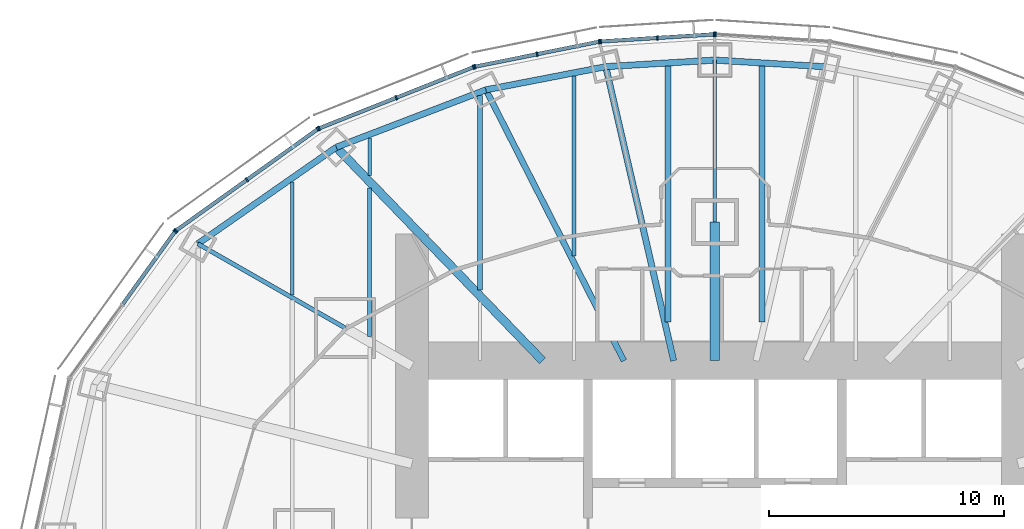
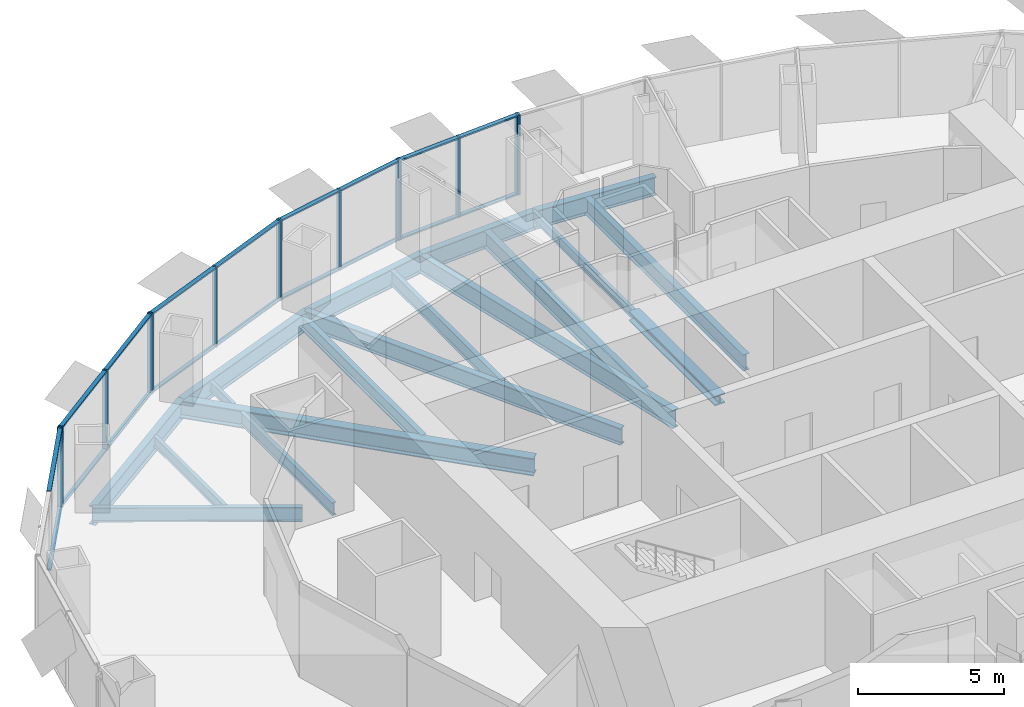
# One storey, part 7 of 18: 32 members, 18 beams, 6 elements without a shape of their own.
"""IFC4 building model written with IfcOpenShell, lengths in metres."""

import ifcopenshell
import ifcopenshell.guid

model = None  # the IFC model being written
_history = None  # IfcOwnerHistory: only IFC2X3 demands one
_inside = {}  # id of a spatial element -> (the spatial element, [elements in it])
_under = {}  # id of a project, library or spatial element -> (it, [spatial elements below it])
_declared = {}  # id of a project -> (the project, [libraries it declares])
_typed = {}  # id of a type object -> (the type object, [elements of that type])
_made_of = {}  # id of a material, layer set ... -> (it, [elements and type objects made of it])


def new_model(schema):
    """Start an empty IFC model of exactly this schema.

    Asked for "IFC4X3", IfcOpenShell would pick the latest addendum, in which some entities
    have other attributes; the version numbers below select the first issue.
    IFC2X3 requires an IfcOwnerHistory on every rooted entity: one is made here for all.
    """
    global model, _history
    if schema == "IFC4X3":
        model = ifcopenshell.file(schema_version=(4, 3, 0, 0))
    else:
        model = ifcopenshell.file(schema=schema)
    _inside.clear()
    _under.clear()
    _declared.clear()
    _typed.clear()
    _made_of.clear()
    _history = None
    if model.schema == "IFC2X3":
        org = make("IfcOrganization", Name="unknown")
        user = make(
            "IfcPersonAndOrganization",
            ThePerson=make("IfcPerson", FamilyName="unknown"),
            TheOrganization=org,
        )
        app = make(
            "IfcApplication",
            ApplicationDeveloper=org,
            Version="unknown",
            ApplicationFullName="unknown",
            ApplicationIdentifier="unknown",
        )
        _history = make(
            "IfcOwnerHistory",
            OwningUser=user,
            OwningApplication=app,
            ChangeAction="ADDED",
            CreationDate=0,
        )
    return model


def make(cls, **values):
    """One entity of the class cls with the attributes given. An attribute that is None is left unset."""
    return model.create_entity(
        cls, **{name: value for name, value in values.items() if value is not None}
    )


def rooted(cls, **values):
    """An entity with a GlobalId (a new one), such as an element, a storey or a relation."""
    return make(cls, GlobalId=ifcopenshell.guid.new(), OwnerHistory=_history, **values)


def si_unit(unit_type, name, prefix=None):
    """IfcSIUnit, for example si_unit("LENGTHUNIT", "METRE", prefix="MILLI")."""
    return make("IfcSIUnit", UnitType=unit_type, Prefix=prefix, Name=name)


def assignment(units):
    """IfcUnitAssignment: the units of a project."""
    return None if units is None else make("IfcUnitAssignment", Units=units)


def point(xyz):
    """IfcCartesianPoint."""
    return None if xyz is None else make("IfcCartesianPoint", Coordinates=xyz)


def direction(xyz):
    """IfcDirection."""
    return None if xyz is None else make("IfcDirection", DirectionRatios=xyz)


def frame(location, z_axis=None, x_axis=None):
    """IfcAxis2Placement3D, a coordinate frame: its origin and axes. An axis left out is left unset."""
    return make(
        "IfcAxis2Placement3D",
        Location=point(location),
        Axis=direction(z_axis),
        RefDirection=direction(x_axis),
    )


def frame_2d(location, x_axis=None):
    """IfcAxis2Placement2D, a coordinate frame in the plane: its origin and x axis."""
    return make(
        "IfcAxis2Placement2D", Location=point(location), RefDirection=direction(x_axis)
    )


def origin():
    """The frame at (0, 0, 0) with its axes left unset."""
    return frame((0.0, 0.0, 0.0))


def origin_2d():
    """The frame at (0, 0) in the plane with its x axis left unset."""
    return frame_2d((0.0, 0.0))


def place(relative_to, where):
    """IfcLocalPlacement: puts the frame where relative to a parent placement (None: the world)."""
    return make(
        "IfcLocalPlacement", PlacementRelTo=relative_to, RelativePlacement=where
    )


def context(
    kind, dimensions, precision=None, world=None, true_north=None, identifier=None
):
    """IfcGeometricRepresentationContext, for example the 3D "Model" context."""
    return make(
        "IfcGeometricRepresentationContext",
        ContextIdentifier=identifier,
        ContextType=kind,
        CoordinateSpaceDimension=dimensions,
        Precision=precision,
        WorldCoordinateSystem=world,
        TrueNorth=true_north,
    )


def subcontext(parent, identifier, kind, view, scale=None):
    """IfcGeometricRepresentationSubContext, for example "Body" below "Model"."""
    return make(
        "IfcGeometricRepresentationSubContext",
        ContextIdentifier=identifier,
        ContextType=kind,
        ParentContext=parent,
        TargetScale=scale,
        TargetView=view,
    )


def project(units=None, contexts=None):
    """IfcProject with its units and contexts."""
    return rooted(
        "IfcProject",
        Name="project",
        RepresentationContexts=contexts,
        UnitsInContext=assignment(units),
    )


def spatial(cls, under=None, at=None, **own):
    """A site, building, storey or space (cls), placed at a placement, below another one or the project."""
    s = rooted(cls, ObjectPlacement=at, **own)
    if under is not None:
        _under.setdefault(under.id(), (under, []))[1].append(s)
    return s


def profile(cls, at=None, kind="AREA", **sizes):
    """A parametric profile (cls). Its sizes go by their IFC names, for example OverallWidth=200.0."""
    return make(cls, ProfileType=kind, Position=at, **sizes)


def rectangle(**sizes):
    """IfcRectangleProfileDef."""
    return profile("IfcRectangleProfileDef", **sizes)


def i_section(**sizes):
    """IfcIShapeProfileDef."""
    return profile("IfcIShapeProfileDef", **sizes)


def extrude(swept, where, along, depth):
    """IfcExtrudedAreaSolid: the profile swept, set in the frame where, extruded along a direction by depth."""
    return make(
        "IfcExtrudedAreaSolid",
        SweptArea=swept,
        Position=where,
        ExtrudedDirection=direction(along),
        Depth=depth,
    )


def shape(context_of_items, identifier, shape_type, items):
    """IfcShapeRepresentation: the items that make up one representation, for example the "Body"."""
    return make(
        "IfcShapeRepresentation",
        ContextOfItems=context_of_items,
        RepresentationIdentifier=identifier,
        RepresentationType=shape_type,
        Items=items,
    )


def material(Name=None, Category=None):
    """IfcMaterial."""
    return make("IfcMaterial", Name=Name, Category=Category)


def material_profile(
    of_material, cross_section, Name=None, Category=None, Priority=None
):
    """IfcMaterialProfile: a cross section and its material."""
    return make(
        "IfcMaterialProfile",
        Name=Name,
        Material=of_material,
        Profile=cross_section,
        Priority=Priority,
        Category=Category,
    )


def profile_set(profiles, Name=None, composite=None):
    """IfcMaterialProfileSet."""
    return make(
        "IfcMaterialProfileSet",
        Name=Name,
        MaterialProfiles=profiles,
        CompositeProfile=composite,
    )


def made_of(thing, what):
    """Note that an element or type object is made of a material, layer set ...; save() writes the relation."""
    if what is not None:
        _made_of.setdefault(what.id(), (what, []))[1].append(thing)
    return thing


def type_object(cls, material=None, **own):
    """A type object (cls), such as IfcWallType, which elements share."""
    return made_of(rooted(cls, **own), material)


def element(
    cls,
    number,
    at=None,
    inside=None,
    cuts=None,
    type_object=None,
    material=None,
    context=None,
    identifier="Body",
    shape_type=None,
    held_by="IfcProductDefinitionShape",
    body=None,
    shapes=None,
    **own,
):
    """One element of the class cls, such as IfcWall. Its Tag is "e" and its number.

    at: its placement. inside: the storey or other place that contains it. cuts: it is an
    opening in that element (IfcRelVoidsElement). A single representation is given by context,
    identifier, shape_type and body (its items); several are given by shapes. held_by: the class
    of the entity that holds the representations. save() writes the other relations.
    """
    e = rooted(cls, Tag="e%d" % number, ObjectPlacement=at, **own)
    if body is not None:
        shapes = [shape(context, identifier, shape_type, body)]
    if shapes is not None:
        e.Representation = make(held_by, Representations=shapes)
    if inside is not None:
        _inside.setdefault(inside.id(), (inside, []))[1].append(e)
    if cuts is not None:
        rooted(
            "IfcRelVoidsElement", RelatingBuildingElement=cuts, RelatedOpeningElement=e
        )
    if type_object is not None:
        _typed.setdefault(type_object.id(), (type_object, []))[1].append(e)
    return made_of(e, material)


def aggregate(whole, parts):
    """IfcRelAggregates: a whole, such as a stair, and the parts it consists of."""
    return rooted("IfcRelAggregates", RelatingObject=whole, RelatedObjects=parts)


def save(model, path):
    """Write the relations noted so far, then the file.

    IfcRelAggregates (storeys below a building ...), IfcRelContainedInSpatialStructure (elements
    in a storey), IfcRelDefinesByType, IfcRelAssociatesMaterial and IfcRelDeclares: one each for
    every whole, place, type object, material and project.
    """
    for whole, parts in _under.values():
        aggregate(whole, parts)
    for where, things in _inside.values():
        rooted(
            "IfcRelContainedInSpatialStructure",
            RelatedElements=things,
            RelatingStructure=where,
        )
    for kind, things in _typed.values():
        rooted("IfcRelDefinesByType", RelatedObjects=things, RelatingType=kind)
    for what, things in _made_of.values():
        rooted("IfcRelAssociatesMaterial", RelatedObjects=things, RelatingMaterial=what)
    for by, libraries in _declared.values():
        rooted("IfcRelDeclares", RelatingContext=by, RelatedDefinitions=libraries)
    model.write(path)


model = new_model("IFC4")

# Units and contexts
model_context = context("Model", 3, precision=1e-05, world=origin(), true_north=direction((0.0, 1.0)))
body_context = subcontext(model_context, "Body", "Model", "MODEL_VIEW")
ifc_project = project(units=[si_unit("LENGTHUNIT", "METRE"), si_unit("AREAUNIT", "SQUARE_METRE"), si_unit("VOLUMEUNIT", "CUBIC_METRE"), si_unit("PLANEANGLEUNIT", "RADIAN"), si_unit("MASSUNIT", "GRAM", prefix="KILO")], contexts=[model_context])

# Site, building, storey
site_placement = place(None, origin())
site = spatial("IfcSite", under=ifc_project, at=site_placement, CompositionType="ELEMENT")
building_placement = place(site_placement, origin())
building = spatial("IfcBuilding", under=site, at=building_placement, Name="Lantaw Convention Tower", CompositionType="ELEMENT")
storey_placement = place(building_placement, frame((0.0, 0.0, 188.800048828125)))
storey = spatial("IfcBuildingStorey", under=building, at=storey_placement, Name="L44", CompositionType="ELEMENT", Elevation=188.800048828125)

# Beams
ifc_material_1 = material(Name="Steel ASTM A992", Category="steel")
ifc_material_profile_1 = material_profile(ifc_material_1, i_section(OverallWidth=0.2666015625, OverallDepth=0.76953125, WebThickness=0.015625, FlangeThickness=0.025390625, FilletRadius=0.0126953125, at=origin_2d()), Name="W30X132")
ifc_profile_set_1 = profile_set([ifc_material_profile_1], Name="Steel ASTM A992")
beam_type_1 = type_object("IfcBeamType", Name="Beam E W30X132", PredefinedType="SPANDREL", material=ifc_profile_set_1)
for number, where, z_axis, x_axis, name in (
    (1, (4.64501953125, 20.1201171875, -0.534912109375), (-0.998190892054, 0.06012439621, 0.0), (-0.06012439621, -0.998190892054, 0.0), "Edge beam 6"),
    (2, (0.0, 20.39990234375, -0.534912109375), (-0.998190892054, -0.06012439621, 0.0), (0.06012439621, -0.998190892054, 0.0), "Edge beam 7"),
):
    element("IfcBeam", number, at=place(storey_placement, frame(where, z_axis=z_axis, x_axis=x_axis)), inside=storey, type_object=beam_type_1, Name=name, PredefinedType="SPANDREL", context=body_context, shape_type="SweptSolid", body=[
        extrude(i_section(OverallWidth=0.2666015625, OverallDepth=0.76953125, WebThickness=0.015625, FlangeThickness=0.025390625, FilletRadius=0.0126953125, at=origin_2d()), origin(), (0.0, 0.0, 1.0), 4.6533203125),
    ])
beam_1_placement = place(storey_placement, frame((-4.64501953125, 20.1201171875, -0.534912109375), z_axis=(-0.981796805654, -0.189934284446, 0.0), x_axis=(0.189934284446, -0.981796805654, 0.0)))
element("IfcBeam", 3, at=beam_1_placement, inside=storey, type_object=beam_type_1, Name="Edge beam 8", PredefinedType="SPANDREL", context=body_context, shape_type="SweptSolid", body=[
    extrude(i_section(OverallWidth=0.2666015625, OverallDepth=0.76953125, WebThickness=0.015625, FlangeThickness=0.025390625, FilletRadius=0.0126953125, at=origin_2d()), origin(), (0.0, 0.0, 1.0), 5.1982421875),
])
beam_2_placement = place(storey_placement, frame((-9.74853515625, 19.1328125, -0.534912109375), z_axis=(-0.933691081977, -0.358079549033, 0.0), x_axis=(0.358079549033, -0.933691081977, 0.0)))
element("IfcBeam", 4, at=beam_2_placement, inside=storey, type_object=beam_type_1, Name="Edge beam 9", PredefinedType="SPANDREL", context=body_context, shape_type="SweptSolid", body=[
    extrude(i_section(OverallWidth=0.2666015625, OverallDepth=0.76953125, WebThickness=0.015625, FlangeThickness=0.025390625, FilletRadius=0.0126953125, at=origin_2d()), origin(), (0.0, 0.0, 1.0), 6.821533203125),
])
beam_3_placement = place(storey_placement, frame((-16.11767578125, 16.690185546875, -0.534912109375), z_axis=(-0.820310765287, -0.57191804339, 0.0), x_axis=(0.57191804339, -0.820310765287, 0.0)))
element("IfcBeam", 5, at=beam_3_placement, inside=storey, type_object=beam_type_1, Name="Edge beam 10", PredefinedType="SPANDREL", context=body_context, shape_type="SweptSolid", body=[
    extrude(i_section(OverallWidth=0.2666015625, OverallDepth=0.76953125, WebThickness=0.015625, FlangeThickness=0.025390625, FilletRadius=0.0126953125, at=origin_2d()), origin(), (0.0, 0.0, 1.0), 7.187744140625),
])
ifc_material_profile_2 = material_profile(ifc_material_1, i_section(OverallWidth=0.140380859375, OverallDepth=0.40380859375, WebThickness=0.007080078125, FlangeThickness=0.01123046875, FilletRadius=0.01025390625, at=origin_2d()), Name="W16X31")
ifc_profile_set_2 = profile_set([ifc_material_profile_2], Name="Steel ASTM A992")
beam_type_2 = type_object("IfcBeamType", Name="Beam G W16X31", PredefinedType="BEAM", material=ifc_profile_set_2)
beam_4_placement = place(storey_placement, frame((0.0, 13.5, -0.35205078125), z_axis=(0.0, 1.0, 0.0), x_axis=(-1.0, 0.0, 0.0)))
element("IfcBeam", 6, at=beam_4_placement, inside=storey, type_object=beam_type_2, Name="Floor girder on ray 7", PredefinedType="BEAM", context=body_context, shape_type="SweptSolid", body=[
    extrude(i_section(OverallWidth=0.140380859375, OverallDepth=0.40380859375, WebThickness=0.007080078125, FlangeThickness=0.01123046875, FilletRadius=0.01025390625, at=origin_2d()), origin(), (0.0, 0.0, 1.0), 6.89990234375),
])
ifc_material_profile_3 = material_profile(ifc_material_1, i_section(OverallWidth=0.177978515625, OverallDepth=0.599365234375, WebThickness=0.010009765625, FlangeThickness=0.012939453125, FilletRadius=0.012939453125, at=origin_2d()), Name="W24X55")
ifc_profile_set_3 = profile_set([ifc_material_profile_3], Name="Steel ASTM A992")
beam_type_3 = type_object("IfcBeamType", Name="Beam G W24X55", PredefinedType="BEAM", material=ifc_profile_set_3)
beam_5_placement = place(storey_placement, frame((-15.75, 9.0, -0.44970703125), z_axis=(-0.868245224608, 0.496135293993, 0.0), x_axis=(-0.496135293993, -0.868245224608, 0.0)))
element("IfcBeam", 7, at=beam_5_placement, inside=storey, type_object=beam_type_3, Name="Floor girder on ray 11", PredefinedType="BEAM", context=body_context, shape_type="SweptSolid", body=[
    extrude(i_section(OverallWidth=0.177978515625, OverallDepth=0.599365234375, WebThickness=0.010009765625, FlangeThickness=0.012939453125, FilletRadius=0.012939453125, at=origin_2d()), origin(), (0.0, 0.0, 1.0), 7.21435546875),
])
ifc_material_profile_4 = material_profile(ifc_material_1, i_section(OverallWidth=0.25390625, OverallDepth=0.700927734375, WebThickness=0.015380859375, FlangeThickness=0.02783203125, FilletRadius=0.01513671875, at=origin_2d()), Name="W27X129")
ifc_profile_set_4 = profile_set([ifc_material_profile_4], Name="Steel ASTM A992")
beam_type_4 = type_object("IfcBeamType", Name="Beam G W27X129", PredefinedType="BEAM", material=ifc_profile_set_4)
beam_6_placement = place(storey_placement, frame((-3.872314453125, 7.60009765625, -0.50048828125), z_axis=(-0.453991051051, 0.891006243281, 0.0), x_axis=(-0.891006243281, -0.453991051051, 0.0)))
element("IfcBeam", 8, at=beam_6_placement, inside=storey, type_object=beam_type_4, Name="Floor girder on ray 9", PredefinedType="BEAM", context=body_context, shape_type="SweptSolid", body=[
    extrude(i_section(OverallWidth=0.25390625, OverallDepth=0.700927734375, WebThickness=0.015380859375, FlangeThickness=0.02783203125, FilletRadius=0.01513671875, at=origin_2d()), origin(), (0.0, 0.0, 1.0), 12.943359375),
])
ifc_material_profile_5 = material_profile(ifc_material_1, i_section(OverallWidth=0.360595703125, OverallDepth=0.72900390625, WebThickness=0.023193359375, FlangeThickness=0.041015625, FilletRadius=0.0126953125, at=origin_2d()), Name="W27X235")
ifc_profile_set_5 = profile_set([ifc_material_profile_5], Name="Steel ASTM A992")
beam_type_5 = type_object("IfcBeamType", Name="Beam G W27X235", PredefinedType="BEAM", material=ifc_profile_set_5)
beam_7_placement = place(storey_placement, frame((-7.33935546875, 7.60009765625, -0.5146484375), z_axis=(-0.694663467407, 0.719334878239, 0.0), x_axis=(-0.719334878239, -0.694663467407, 0.0)))
element("IfcBeam", 9, at=beam_7_placement, inside=storey, type_object=beam_type_5, Name="Floor girder on ray 10", PredefinedType="BEAM", context=body_context, shape_type="SweptSolid", body=[
    extrude(i_section(OverallWidth=0.360595703125, OverallDepth=0.72900390625, WebThickness=0.023193359375, FlangeThickness=0.041015625, FilletRadius=0.0126953125, at=origin_2d()), origin(), (0.0, 0.0, 1.0), 12.63671875),
])
ifc_material_profile_6 = material_profile(ifc_material_1, i_section(OverallWidth=0.2666015625, OverallDepth=0.7568359375, WebThickness=0.013916015625, FlangeThickness=0.019287109375, FilletRadius=0.0126953125, at=origin_2d()), Name="W30X108")
ifc_profile_set_6 = profile_set([ifc_material_profile_6], Name="Steel ASTM A992")
beam_type_6 = type_object("IfcBeamType", Name="Beam G W30X108", PredefinedType="BEAM", material=ifc_profile_set_6)
beam_8_placement = place(storey_placement, frame((-1.754638671875, 7.60009765625, -0.528564453125), z_axis=(-0.224944153104, 0.974371658036, 0.0), x_axis=(-0.974371658036, -0.224944153104, 0.0)))
element("IfcBeam", 10, at=beam_8_placement, inside=storey, type_object=beam_type_6, Name="Floor girder on ray 8", PredefinedType="BEAM", context=body_context, shape_type="SweptSolid", body=[
    extrude(i_section(OverallWidth=0.2666015625, OverallDepth=0.7568359375, WebThickness=0.013916015625, FlangeThickness=0.019287109375, FilletRadius=0.0126953125, at=origin_2d()), origin(), (0.0, 0.0, 1.0), 12.849365234375),
])
ifc_material_profile_7 = material_profile(ifc_material_1, i_section(OverallWidth=0.40380859375, OverallDepth=0.406494140625, WebThickness=0.027099609375, FlangeThickness=0.043701171875, FilletRadius=0.01513671875, at=origin_2d()), Name="W14X233")
ifc_profile_set_7 = profile_set([ifc_material_profile_7], Name="Steel ASTM A992")
beam_type_7 = type_object("IfcBeamType", Name="Beam GM W14X233", PredefinedType="BEAM", material=ifc_profile_set_7)
beam_9_placement = place(storey_placement, frame((0.0, 7.60009765625, -0.353271484375), z_axis=(0.0, 1.0, 0.0), x_axis=(-1.0, 0.0, 0.0)))
element("IfcBeam", 11, at=beam_9_placement, inside=storey, type_object=beam_type_7, Name="Core link beam on ray 7", PredefinedType="BEAM", context=body_context, shape_type="SweptSolid", body=[
    extrude(i_section(OverallWidth=0.40380859375, OverallDepth=0.406494140625, WebThickness=0.027099609375, FlangeThickness=0.043701171875, FilletRadius=0.01513671875, at=origin_2d()), origin(), (0.0, 0.0, 1.0), 5.89990234375),
])
ifc_material_profile_8 = material_profile(ifc_material_1, i_section(OverallWidth=0.140380859375, OverallDepth=0.40380859375, WebThickness=0.007080078125, FlangeThickness=0.01123046875, FilletRadius=0.01025390625, at=origin_2d()), Name="W16X31")
ifc_profile_set_8 = profile_set([ifc_material_profile_8], Name="Steel ASTM A992")
beam_type_8 = type_object("IfcBeamType", Name="Beam J W16X31", PredefinedType="JOIST", material=ifc_profile_set_8)
beam_10_placement = place(storey_placement, frame((-14.699951171875, 15.48193359375, -0.35205078125), z_axis=(0.0, 1.0, 0.0), x_axis=(-1.0, 0.0, 0.0)))
element("IfcBeam", 12, at=beam_10_placement, inside=storey, type_object=beam_type_8, Name="Floor joist", PredefinedType="JOIST", context=body_context, shape_type="SweptSolid", body=[
    extrude(i_section(OverallWidth=0.140380859375, OverallDepth=0.40380859375, WebThickness=0.007080078125, FlangeThickness=0.01123046875, FilletRadius=0.01025390625, at=origin_2d()), origin(), (0.0, 0.0, 1.0), 1.609130859375),
])
ifc_material_profile_9 = material_profile(ifc_material_1, i_section(OverallWidth=0.15234375, OverallDepth=0.449462890625, WebThickness=0.007568359375, FlangeThickness=0.0107421875, FilletRadius=0.01025390625, at=origin_2d()), Name="W18X35")
ifc_profile_set_9 = profile_set([ifc_material_profile_9], Name="Steel ASTM A992")
beam_type_9 = type_object("IfcBeamType", Name="Beam J W18X35", PredefinedType="JOIST", material=ifc_profile_set_9)
beam_11_placement = place(storey_placement, frame((-18.0, 10.38818359375, -0.374755859375), z_axis=(0.0, 1.0, 0.0), x_axis=(-1.0, 0.0, 0.0)))
element("IfcBeam", 13, at=beam_11_placement, inside=storey, type_object=beam_type_9, Name="Floor joist", PredefinedType="JOIST", context=body_context, shape_type="SweptSolid", body=[
    extrude(i_section(OverallWidth=0.15234375, OverallDepth=0.449462890625, WebThickness=0.007568359375, FlangeThickness=0.0107421875, FilletRadius=0.01025390625, at=origin_2d()), origin(), (0.0, 0.0, 1.0), 4.8271484375),
])
ifc_material_profile_10 = material_profile(ifc_material_1, i_section(OverallWidth=0.1650390625, OverallDepth=0.52587890625, WebThickness=0.0087890625, FlangeThickness=0.011474609375, FilletRadius=0.0126953125, at=origin_2d()), Name="W21X44")
ifc_profile_set_10 = profile_set([ifc_material_profile_10], Name="Steel ASTM A992")
beam_type_10 = type_object("IfcBeamType", Name="Beam J W21X44", PredefinedType="JOIST", material=ifc_profile_set_10)
beam_12_placement = place(storey_placement, frame((-14.699951171875, 8.632568359375, -0.412841796875), z_axis=(0.0, 1.0, 0.0), x_axis=(-1.0, 0.0, 0.0)))
element("IfcBeam", 14, at=beam_12_placement, inside=storey, type_object=beam_type_10, Name="Floor joist", PredefinedType="JOIST", context=body_context, shape_type="SweptSolid", body=[
    extrude(i_section(OverallWidth=0.1650390625, OverallDepth=0.52587890625, WebThickness=0.0087890625, FlangeThickness=0.011474609375, FilletRadius=0.0126953125, at=origin_2d()), origin(), (0.0, 0.0, 1.0), 6.330078125),
])
ifc_material_profile_11 = material_profile(ifc_material_1, i_section(OverallWidth=0.2099609375, OverallDepth=0.535888671875, WebThickness=0.010986328125, FlangeThickness=0.017333984375, FilletRadius=0.012939453125, at=origin_2d()), Name="W21X68")
ifc_profile_set_11 = profile_set([ifc_material_profile_11], Name="Steel ASTM A992")
beam_type_11 = type_object("IfcBeamType", Name="Beam J W21X68", PredefinedType="JOIST", material=ifc_profile_set_11)
beam_13_placement = place(storey_placement, frame((-10.0, 10.614990234375, -0.41796875), z_axis=(0.0, 1.0, 0.0), x_axis=(-1.0, 0.0, 0.0)))
element("IfcBeam", 15, at=beam_13_placement, inside=storey, type_object=beam_type_11, Name="Floor joist", PredefinedType="JOIST", context=body_context, shape_type="SweptSolid", body=[
    extrude(i_section(OverallWidth=0.2099609375, OverallDepth=0.535888671875, WebThickness=0.010986328125, FlangeThickness=0.017333984375, FilletRadius=0.012939453125, at=origin_2d()), origin(), (0.0, 0.0, 1.0), 8.278564453125),
])
ifc_material_profile_12 = material_profile(ifc_material_1, i_section(OverallWidth=0.177978515625, OverallDepth=0.599365234375, WebThickness=0.010009765625, FlangeThickness=0.012939453125, FilletRadius=0.012939453125, at=origin_2d()), Name="W24X55")
ifc_profile_set_12 = profile_set([ifc_material_profile_12], Name="Steel ASTM A992")
beam_type_12 = type_object("IfcBeamType", Name="Beam J W24X55", PredefinedType="JOIST", material=ifc_profile_set_12)
beam_14_placement = place(storey_placement, frame((-6.0, 12.055419921875, -0.44970703125), z_axis=(0.0, 1.0, 0.0), x_axis=(-1.0, 0.0, 0.0)))
element("IfcBeam", 16, at=beam_14_placement, inside=storey, type_object=beam_type_12, Name="Floor joist", PredefinedType="JOIST", context=body_context, shape_type="SweptSolid", body=[
    extrude(i_section(OverallWidth=0.177978515625, OverallDepth=0.599365234375, WebThickness=0.010009765625, FlangeThickness=0.012939453125, FilletRadius=0.012939453125, at=origin_2d()), origin(), (0.0, 0.0, 1.0), 7.666748046875),
])
ifc_material_profile_13 = material_profile(ifc_material_1, i_section(OverallWidth=0.25390625, OverallDepth=0.683349609375, WebThickness=0.012451171875, FlangeThickness=0.01904296875, FilletRadius=0.01513671875, at=origin_2d()), Name="W27X94")
ifc_profile_set_13 = profile_set([ifc_material_profile_13], Name="Steel ASTM A992")
beam_type_13 = type_object("IfcBeamType", Name="Beam J W27X94", PredefinedType="JOIST", material=ifc_profile_set_13)
for number, where, z_axis, x_axis, name in (
    (17, (-2.0, 9.255859375, -0.49169921875), (0.0, 1.0, 0.0), (-1.0, 0.0, 0.0), "Floor joist"),
    (18, (2.0, 9.255859375, -0.49169921875), (0.0, 1.0, 0.0), (-1.0, 0.0, 0.0), "Floor joist"),
):
    element("IfcBeam", number, at=place(storey_placement, frame(where, z_axis=z_axis, x_axis=x_axis)), inside=storey, type_object=beam_type_13, Name=name, PredefinedType="JOIST", context=body_context, shape_type="SweptSolid", body=[
        extrude(i_section(OverallWidth=0.25390625, OverallDepth=0.683349609375, WebThickness=0.012451171875, FlangeThickness=0.01904296875, FilletRadius=0.01513671875, at=origin_2d()), origin(), (0.0, 0.0, 1.0), 10.889892578125),
    ])

# Curtain wall, member
ifc_material_2 = material(Name="Aluminium framed curtain wall", Category="aluminium")
curtain_wall_type = type_object("IfcCurtainWallType", Name="Office curtain wall low rise, pale aluminium", PredefinedType="USERDEFINED", material=ifc_material_2)
curtain_wall_1_placement = place(storey_placement, origin())
curtain_wall_1 = element("IfcCurtainWall", 19, at=curtain_wall_1_placement, inside=storey, type_object=curtain_wall_type, Name="Office curtain wall low rise, pale aluminium L44", ObjectType="UNITISED CURTAIN WALL", PredefinedType="USERDEFINED")
ifc_material_3 = material(Name="Aluminium 6063-T6", Category="aluminium")
ifc_material_profile_14 = material_profile(ifc_material_3, rectangle(XDim=0.199951171875, YDim=0.06494140625, at=origin_2d()), Name="CW-O1 mullion 65x200")
ifc_profile_set_14 = profile_set([ifc_material_profile_14], Name="Aluminium 6063-T6")
member_type_1 = type_object("IfcMemberType", Name="CW-O1 mullion 65x200", PredefinedType="MULLION", material=ifc_profile_set_14)
member_1_placement = place(storey_placement, frame((0.032470703125, 21.498046875, -0.150146484375), z_axis=(0.0, 0.0, 1.0), x_axis=(-0.062865059466, -0.998022035978, 0.0)))
member_1 = element("IfcMember", 20, at=member_1_placement, type_object=member_type_1, Name="CW-O1 mullion 3", PredefinedType="MULLION", context=body_context, shape_type="SweptSolid", body=[
    extrude(rectangle(XDim=0.199951171875, YDim=0.06494140625, at=origin_2d()), origin(), (0.0, 0.0, 1.0), 3.35009765625),
])
aggregate(curtain_wall_1, [member_1])

# Curtain wall, members
curtain_wall_2_placement = place(storey_placement, origin())
curtain_wall_2 = element("IfcCurtainWall", 21, at=curtain_wall_2_placement, inside=storey, type_object=curtain_wall_type, Name="Office curtain wall low rise, pale aluminium L44", ObjectType="UNITISED CURTAIN WALL", PredefinedType="USERDEFINED")
member_2_placement = place(storey_placement, frame((-0.032470703125, 21.498046875, -0.150146484375), z_axis=(0.0, 0.0, 1.0), x_axis=(0.062865059466, -0.998022035978, 0.0)))
member_2 = element("IfcMember", 22, at=member_2_placement, type_object=member_type_1, Name="CW-O1 mullion 1", PredefinedType="MULLION", context=body_context, shape_type="SweptSolid", body=[
    extrude(rectangle(XDim=0.199951171875, YDim=0.06494140625, at=origin_2d()), origin(), (0.0, 0.0, 1.0), 3.35009765625),
])
member_3_placement = place(storey_placement, frame((-2.4462890625, 21.345947265625, -0.150146484375), z_axis=(0.0, 0.0, 1.0), x_axis=(0.062865059466, -0.998022035978, 0.0)))
member_3 = element("IfcMember", 23, at=member_3_placement, type_object=member_type_1, Name="CW-O1 mullion 2", PredefinedType="MULLION", context=body_context, shape_type="SweptSolid", body=[
    extrude(rectangle(XDim=0.199951171875, YDim=0.06494140625, at=origin_2d()), origin(), (0.0, 0.0, 1.0), 3.35009765625),
])
member_4_placement = place(storey_placement, frame((-4.860107421875, 21.19384765625, -0.150146484375), z_axis=(0.0, 0.0, 1.0), x_axis=(0.062865059466, -0.998022035978, 0.0)))
member_4 = element("IfcMember", 24, at=member_4_placement, type_object=member_type_1, Name="CW-O1 mullion 3", PredefinedType="MULLION", context=body_context, shape_type="SweptSolid", body=[
    extrude(rectangle(XDim=0.199951171875, YDim=0.06494140625, at=origin_2d()), origin(), (0.0, 0.0, 1.0), 3.35009765625),
])

curtain_wall_3_placement = place(storey_placement, origin())
curtain_wall_3 = element("IfcCurtainWall", 25, at=curtain_wall_3_placement, inside=storey, type_object=curtain_wall_type, Name="Office curtain wall low rise, pale aluminium L44", ObjectType="UNITISED CURTAIN WALL", PredefinedType="USERDEFINED")
member_5_placement = place(storey_placement, frame((-4.92431640625, 21.185302734375, -0.150146484375), z_axis=(0.0, 0.0, 1.0), x_axis=(0.197506809659, -0.980301514912, 0.0)))
member_5 = element("IfcMember", 26, at=member_5_placement, type_object=member_type_1, Name="CW-O1 mullion 1", PredefinedType="MULLION", context=body_context, shape_type="SweptSolid", body=[
    extrude(rectangle(XDim=0.199951171875, YDim=0.06494140625, at=origin_2d()), origin(), (0.0, 0.0, 1.0), 3.35009765625),
])
member_6_placement = place(storey_placement, frame((-7.5703125, 20.65234375, -0.150146484375), z_axis=(0.0, 0.0, 1.0), x_axis=(0.197506809659, -0.980301514912, 0.0)))
member_6 = element("IfcMember", 27, at=member_6_placement, type_object=member_type_1, Name="CW-O1 mullion 2", PredefinedType="MULLION", context=body_context, shape_type="SweptSolid", body=[
    extrude(rectangle(XDim=0.199951171875, YDim=0.06494140625, at=origin_2d()), origin(), (0.0, 0.0, 1.0), 3.35009765625),
])
member_7_placement = place(storey_placement, frame((-10.216064453125, 20.119140625, -0.150146484375), z_axis=(0.0, 0.0, 1.0), x_axis=(0.197506809659, -0.980301514912, 0.0)))
member_7 = element("IfcMember", 28, at=member_7_placement, type_object=member_type_1, Name="CW-O1 mullion 3", PredefinedType="MULLION", context=body_context, shape_type="SweptSolid", body=[
    extrude(rectangle(XDim=0.199951171875, YDim=0.06494140625, at=origin_2d()), origin(), (0.0, 0.0, 1.0), 3.35009765625),
])

curtain_wall_4_placement = place(storey_placement, origin())
curtain_wall_4 = element("IfcCurtainWall", 29, at=curtain_wall_4_placement, inside=storey, type_object=curtain_wall_type, Name="Office curtain wall low rise, pale aluminium L44", ObjectType="UNITISED CURTAIN WALL", PredefinedType="USERDEFINED")
member_8_placement = place(storey_placement, frame((-10.2783203125, 20.100830078125, -0.150146484375), z_axis=(0.0, 0.0, 1.0), x_axis=(0.368701907483, -0.929547687544, 0.0)))
member_8 = element("IfcMember", 30, at=member_8_placement, type_object=member_type_1, Name="CW-O1 mullion 1", PredefinedType="MULLION", context=body_context, shape_type="SweptSolid", body=[
    extrude(rectangle(XDim=0.199951171875, YDim=0.06494140625, at=origin_2d()), origin(), (0.0, 0.0, 1.0), 3.35009765625),
])
member_9_placement = place(storey_placement, frame((-13.56494140625, 18.797119140625, -0.150146484375), z_axis=(0.0, 0.0, 1.0), x_axis=(0.368701907483, -0.929547687544, 0.0)))
member_9 = element("IfcMember", 31, at=member_9_placement, type_object=member_type_1, Name="CW-O1 mullion 2", PredefinedType="MULLION", context=body_context, shape_type="SweptSolid", body=[
    extrude(rectangle(XDim=0.199951171875, YDim=0.06494140625, at=origin_2d()), origin(), (0.0, 0.0, 1.0), 3.35009765625),
])
member_10_placement = place(storey_placement, frame((-16.8515625, 17.49365234375, -0.150146484375), z_axis=(0.0, 0.0, 1.0), x_axis=(0.368701907483, -0.929547687544, 0.0)))
member_10 = element("IfcMember", 32, at=member_10_placement, type_object=member_type_1, Name="CW-O1 mullion 3", PredefinedType="MULLION", context=body_context, shape_type="SweptSolid", body=[
    extrude(rectangle(XDim=0.199951171875, YDim=0.06494140625, at=origin_2d()), origin(), (0.0, 0.0, 1.0), 3.35009765625),
])

curtain_wall_5_placement = place(storey_placement, origin())
curtain_wall_5 = element("IfcCurtainWall", 33, at=curtain_wall_5_placement, inside=storey, type_object=curtain_wall_type, Name="Office curtain wall low rise, pale aluminium L44", ObjectType="UNITISED CURTAIN WALL", PredefinedType="USERDEFINED")
member_11_placement = place(storey_placement, frame((-16.908203125, 17.462646484375, -0.150146484375), z_axis=(0.0, 0.0, 1.0), x_axis=(0.581972695693, -0.813208325995, 0.0)))
member_11 = element("IfcMember", 34, at=member_11_placement, type_object=member_type_1, Name="CW-O1 mullion 1", PredefinedType="MULLION", context=body_context, shape_type="SweptSolid", body=[
    extrude(rectangle(XDim=0.199951171875, YDim=0.06494140625, at=origin_2d()), origin(), (0.0, 0.0, 1.0), 3.35009765625),
])
member_12_placement = place(storey_placement, frame((-19.92529296875, 15.303466796875, -0.150146484375), z_axis=(0.0, 0.0, 1.0), x_axis=(0.581972695693, -0.813208325995, 0.0)))
member_12 = element("IfcMember", 35, at=member_12_placement, type_object=member_type_1, Name="CW-O1 mullion 2", PredefinedType="MULLION", context=body_context, shape_type="SweptSolid", body=[
    extrude(rectangle(XDim=0.199951171875, YDim=0.06494140625, at=origin_2d()), origin(), (0.0, 0.0, 1.0), 3.35009765625),
])
member_13_placement = place(storey_placement, frame((-22.942626953125, 13.14404296875, -0.150146484375), z_axis=(0.0, 0.0, 1.0), x_axis=(0.581972695693, -0.813208325995, 0.0)))
member_13 = element("IfcMember", 36, at=member_13_placement, type_object=member_type_1, Name="CW-O1 mullion 3", PredefinedType="MULLION", context=body_context, shape_type="SweptSolid", body=[
    extrude(rectangle(XDim=0.199951171875, YDim=0.06494140625, at=origin_2d()), origin(), (0.0, 0.0, 1.0), 3.35009765625),
])

# Curtain wall, member
curtain_wall_6_placement = place(storey_placement, origin())
curtain_wall_6 = element("IfcCurtainWall", 37, at=curtain_wall_6_placement, inside=storey, type_object=curtain_wall_type, Name="Office curtain wall low rise, pale aluminium L44", ObjectType="UNITISED CURTAIN WALL", PredefinedType="USERDEFINED")
member_14_placement = place(storey_placement, frame((-22.988037109375, 13.098876953125, -0.150146484375), z_axis=(0.0, 0.0, 1.0), x_axis=(0.811384633629, -0.584512597221, 0.0)))
member_14 = element("IfcMember", 38, at=member_14_placement, type_object=member_type_1, Name="CW-O1 mullion 1", PredefinedType="MULLION", context=body_context, shape_type="SweptSolid", body=[
    extrude(rectangle(XDim=0.199951171875, YDim=0.06494140625, at=origin_2d()), origin(), (0.0, 0.0, 1.0), 3.35009765625),
])

# Member
ifc_material_profile_15 = material_profile(ifc_material_3, rectangle(XDim=0.159912109375, YDim=0.06494140625, at=origin_2d()), Name="CW-O1 transom 65x160")
ifc_profile_set_15 = profile_set([ifc_material_profile_15], Name="Aluminium 6063-T6")
member_type_2 = type_object("IfcMemberType", Name="CW-O1 transom 65x160", PredefinedType="USERDEFINED", material=ifc_profile_set_15)
member_15_placement = place(storey_placement, frame((-0.06494140625, 21.495849609375, -0.117431640625), z_axis=(-0.998022188463, -0.062862638625, 0.0), x_axis=(0.062862638625, -0.998022188463, 0.0)))
member_15 = element("IfcMember", 39, at=member_15_placement, type_object=member_type_2, Name="CW-O1 transom 1.1", ObjectType="TRANSOM", PredefinedType="USERDEFINED", context=body_context, shape_type="SweptSolid", body=[
    extrude(rectangle(XDim=0.159912109375, YDim=0.06494140625, at=origin_2d()), origin(), (0.0, 0.0, 1.0), 2.353515625),
])

member_16_placement = place(storey_placement, frame((-0.06494140625, 21.495849609375, 3.16748046875), z_axis=(-0.998022188463, -0.062862638625, 0.0), x_axis=(0.062862638625, -0.998022188463, 0.0)))
member_16 = element("IfcMember", 40, at=member_16_placement, type_object=member_type_2, Name="CW-O1 transom 1.2", ObjectType="TRANSOM", PredefinedType="USERDEFINED", context=body_context, shape_type="SweptSolid", body=[
    extrude(rectangle(XDim=0.159912109375, YDim=0.06494140625, at=origin_2d()), origin(), (0.0, 0.0, 1.0), 2.353515625),
])

member_17_placement = place(storey_placement, frame((-2.478759765625, 21.34375, -0.117431640625), z_axis=(-0.998022188463, -0.062862638625, 0.0), x_axis=(0.062862638625, -0.998022188463, 0.0)))
member_17 = element("IfcMember", 41, at=member_17_placement, type_object=member_type_2, Name="CW-O1 transom 2.1", ObjectType="TRANSOM", PredefinedType="USERDEFINED", context=body_context, shape_type="SweptSolid", body=[
    extrude(rectangle(XDim=0.159912109375, YDim=0.06494140625, at=origin_2d()), origin(), (0.0, 0.0, 1.0), 2.353515625),
])

member_18_placement = place(storey_placement, frame((-2.478759765625, 21.34375, 3.16748046875), z_axis=(-0.998022188463, -0.062862638625, 0.0), x_axis=(0.062862638625, -0.998022188463, 0.0)))
member_18 = element("IfcMember", 42, at=member_18_placement, type_object=member_type_2, Name="CW-O1 transom 2.2", ObjectType="TRANSOM", PredefinedType="USERDEFINED", context=body_context, shape_type="SweptSolid", body=[
    extrude(rectangle(XDim=0.159912109375, YDim=0.06494140625, at=origin_2d()), origin(), (0.0, 0.0, 1.0), 2.353515625),
])

aggregate(curtain_wall_2, [member_2, member_3, member_4, member_15, member_16, member_17, member_18])

member_19_placement = place(storey_placement, frame((-4.956298828125, 21.178955078125, -0.117431640625), z_axis=(-0.980298027092, -0.197524120247, 0.0), x_axis=(0.197524120247, -0.980298027092, 0.0)))
member_19 = element("IfcMember", 43, at=member_19_placement, type_object=member_type_2, Name="CW-O1 transom 1.1", ObjectType="TRANSOM", PredefinedType="USERDEFINED", context=body_context, shape_type="SweptSolid", body=[
    extrude(rectangle(XDim=0.159912109375, YDim=0.06494140625, at=origin_2d()), origin(), (0.0, 0.0, 1.0), 2.634033203125),
])

member_20_placement = place(storey_placement, frame((-4.956298828125, 21.178955078125, 3.16748046875), z_axis=(-0.980298027092, -0.197524120247, 0.0), x_axis=(0.197524120247, -0.980298027092, 0.0)))
member_20 = element("IfcMember", 44, at=member_20_placement, type_object=member_type_2, Name="CW-O1 transom 1.2", ObjectType="TRANSOM", PredefinedType="USERDEFINED", context=body_context, shape_type="SweptSolid", body=[
    extrude(rectangle(XDim=0.159912109375, YDim=0.06494140625, at=origin_2d()), origin(), (0.0, 0.0, 1.0), 2.634033203125),
])

member_21_placement = place(storey_placement, frame((-7.60205078125, 20.64599609375, -0.117431640625), z_axis=(-0.980301643003, -0.197506173891, 0.0), x_axis=(0.197506173891, -0.980301643003, 0.0)))
member_21 = element("IfcMember", 45, at=member_21_placement, type_object=member_type_2, Name="CW-O1 transom 2.1", ObjectType="TRANSOM", PredefinedType="USERDEFINED", context=body_context, shape_type="SweptSolid", body=[
    extrude(rectangle(XDim=0.159912109375, YDim=0.06494140625, at=origin_2d()), origin(), (0.0, 0.0, 1.0), 2.63427734375),
])

member_22_placement = place(storey_placement, frame((-7.60205078125, 20.64599609375, 3.16748046875), z_axis=(-0.980301643003, -0.197506173891, 0.0), x_axis=(0.197506173891, -0.980301643003, 0.0)))
member_22 = element("IfcMember", 46, at=member_22_placement, type_object=member_type_2, Name="CW-O1 transom 2.2", ObjectType="TRANSOM", PredefinedType="USERDEFINED", context=body_context, shape_type="SweptSolid", body=[
    extrude(rectangle(XDim=0.159912109375, YDim=0.06494140625, at=origin_2d()), origin(), (0.0, 0.0, 1.0), 2.63427734375),
])

aggregate(curtain_wall_3, [member_5, member_6, member_7, member_19, member_20, member_21, member_22])

member_23_placement = place(storey_placement, frame((-10.308349609375, 20.0888671875, -0.117431640625), z_axis=(-0.929540081544, -0.368721082668, 0.0), x_axis=(0.368721082668, -0.929540081544, 0.0)))
member_23 = element("IfcMember", 47, at=member_23_placement, type_object=member_type_2, Name="CW-O1 transom 1.1", ObjectType="TRANSOM", PredefinedType="USERDEFINED", context=body_context, shape_type="SweptSolid", body=[
    extrude(rectangle(XDim=0.159912109375, YDim=0.06494140625, at=origin_2d()), origin(), (0.0, 0.0, 1.0), 3.470947265625),
])

member_24_placement = place(storey_placement, frame((-10.308349609375, 20.0888671875, 3.16748046875), z_axis=(-0.929540081544, -0.368721082668, 0.0), x_axis=(0.368721082668, -0.929540081544, 0.0)))
member_24 = element("IfcMember", 48, at=member_24_placement, type_object=member_type_2, Name="CW-O1 transom 1.2", ObjectType="TRANSOM", PredefinedType="USERDEFINED", context=body_context, shape_type="SweptSolid", body=[
    extrude(rectangle(XDim=0.159912109375, YDim=0.06494140625, at=origin_2d()), origin(), (0.0, 0.0, 1.0), 3.470947265625),
])

member_25_placement = place(storey_placement, frame((-13.594970703125, 18.78515625, -0.117431640625), z_axis=(-0.929564188507, -0.368660303592, 0.0), x_axis=(0.368660303592, -0.929564188507, 0.0)))
member_25 = element("IfcMember", 49, at=member_25_placement, type_object=member_type_2, Name="CW-O1 transom 2.1", ObjectType="TRANSOM", PredefinedType="USERDEFINED", context=body_context, shape_type="SweptSolid", body=[
    extrude(rectangle(XDim=0.159912109375, YDim=0.06494140625, at=origin_2d()), origin(), (0.0, 0.0, 1.0), 3.470703125),
])

member_26_placement = place(storey_placement, frame((-13.594970703125, 18.78515625, 3.16748046875), z_axis=(-0.929564188507, -0.368660303592, 0.0), x_axis=(0.368660303592, -0.929564188507, 0.0)))
member_26 = element("IfcMember", 50, at=member_26_placement, type_object=member_type_2, Name="CW-O1 transom 2.2", ObjectType="TRANSOM", PredefinedType="USERDEFINED", context=body_context, shape_type="SweptSolid", body=[
    extrude(rectangle(XDim=0.159912109375, YDim=0.06494140625, at=origin_2d()), origin(), (0.0, 0.0, 1.0), 3.470703125),
])

aggregate(curtain_wall_4, [member_8, member_9, member_10, member_23, member_24, member_25, member_26])

member_27_placement = place(storey_placement, frame((-16.9345703125, 17.44384765625, -0.117431640625), z_axis=(-0.813190089133, -0.581998177777, 0.0), x_axis=(0.581998177777, -0.813190089133, 0.0)))
member_27 = element("IfcMember", 51, at=member_27_placement, type_object=member_type_2, Name="CW-O1 transom 1.1", ObjectType="TRANSOM", PredefinedType="USERDEFINED", context=body_context, shape_type="SweptSolid", body=[
    extrude(rectangle(XDim=0.159912109375, YDim=0.06494140625, at=origin_2d()), origin(), (0.0, 0.0, 1.0), 3.645263671875),
])

member_28_placement = place(storey_placement, frame((-16.9345703125, 17.44384765625, 3.16748046875), z_axis=(-0.813190089133, -0.581998177777, 0.0), x_axis=(0.581998177777, -0.813190089133, 0.0)))
member_28 = element("IfcMember", 52, at=member_28_placement, type_object=member_type_2, Name="CW-O1 transom 1.2", ObjectType="TRANSOM", PredefinedType="USERDEFINED", context=body_context, shape_type="SweptSolid", body=[
    extrude(rectangle(XDim=0.159912109375, YDim=0.06494140625, at=origin_2d()), origin(), (0.0, 0.0, 1.0), 3.645263671875),
])

member_29_placement = place(storey_placement, frame((-19.951904296875, 15.284423828125, -0.117431640625), z_axis=(-0.813221785972, -0.581953887194, 0.0), x_axis=(0.581953887194, -0.813221785972, 0.0)))
member_29 = element("IfcMember", 53, at=member_29_placement, type_object=member_type_2, Name="CW-O1 transom 2.1", ObjectType="TRANSOM", PredefinedType="USERDEFINED", context=body_context, shape_type="SweptSolid", body=[
    extrude(rectangle(XDim=0.159912109375, YDim=0.06494140625, at=origin_2d()), origin(), (0.0, 0.0, 1.0), 3.645263671875),
])

member_30_placement = place(storey_placement, frame((-19.951904296875, 15.284423828125, 3.16748046875), z_axis=(-0.813221785972, -0.581953887194, 0.0), x_axis=(0.581953887194, -0.813221785972, 0.0)))
member_30 = element("IfcMember", 54, at=member_30_placement, type_object=member_type_2, Name="CW-O1 transom 2.2", ObjectType="TRANSOM", PredefinedType="USERDEFINED", context=body_context, shape_type="SweptSolid", body=[
    extrude(rectangle(XDim=0.159912109375, YDim=0.06494140625, at=origin_2d()), origin(), (0.0, 0.0, 1.0), 3.645263671875),
])

aggregate(curtain_wall_5, [member_11, member_12, member_13, member_27, member_28, member_29, member_30])

member_31_placement = place(storey_placement, frame((-23.007080078125, 13.072509765625, -0.117431640625), z_axis=(-0.584512973979, -0.811384362217, 0.0), x_axis=(0.811384362217, -0.584512973979, 0.0)))
member_31 = element("IfcMember", 55, at=member_31_placement, type_object=member_type_2, Name="CW-O1 transom 1.1", ObjectType="TRANSOM", PredefinedType="USERDEFINED", context=body_context, shape_type="SweptSolid", body=[
    extrude(rectangle(XDim=0.159912109375, YDim=0.06494140625, at=origin_2d()), origin(), (0.0, 0.0, 1.0), 3.767578125),
])

member_32_placement = place(storey_placement, frame((-23.007080078125, 13.072509765625, 3.16748046875), z_axis=(-0.584512973979, -0.811384362217, 0.0), x_axis=(0.811384362217, -0.584512973979, 0.0)))
member_32 = element("IfcMember", 56, at=member_32_placement, type_object=member_type_2, Name="CW-O1 transom 1.2", ObjectType="TRANSOM", PredefinedType="USERDEFINED", context=body_context, shape_type="SweptSolid", body=[
    extrude(rectangle(XDim=0.159912109375, YDim=0.06494140625, at=origin_2d()), origin(), (0.0, 0.0, 1.0), 3.767578125),
])

aggregate(curtain_wall_6, [member_14, member_31, member_32])

save(model, "model.ifc")
